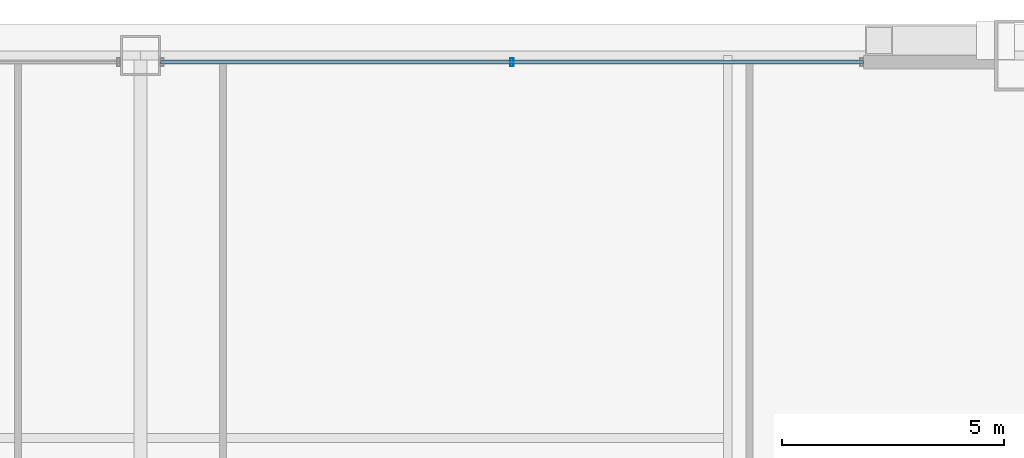
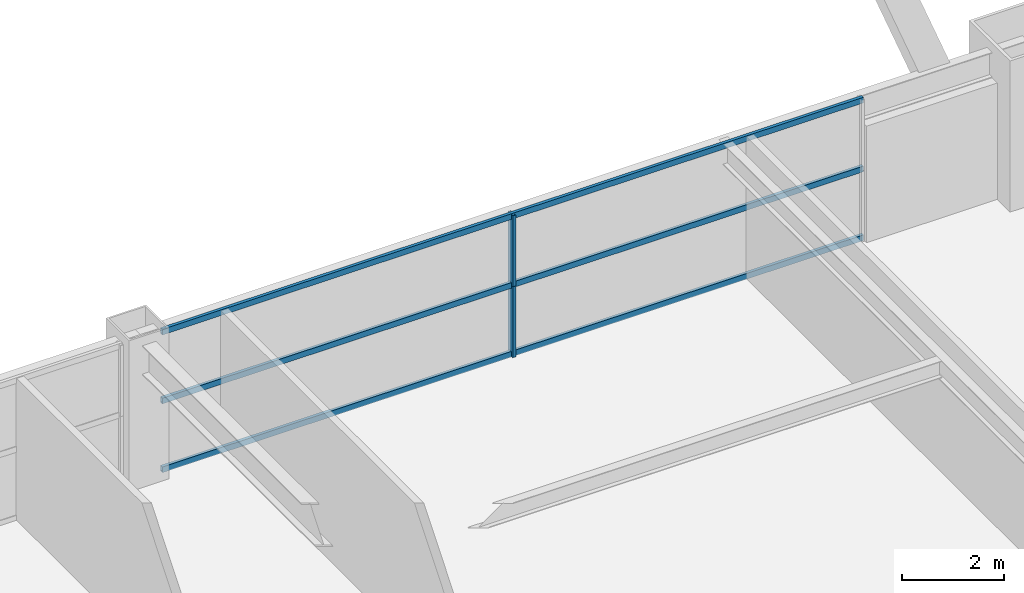
# One storey, part 33 of 41: 5 members, 1 element without a shape of its own.
"""IFC4 building model written with IfcOpenShell, lengths in metres."""

from ifc_helpers import new_model, si_unit, direction, frame, origin, origin_2d, place, context, subcontext, project, spatial, hollow_rectangle, extrude, source, transform, mapped, material, layer, layer_set, material_profile, profile_set, type_object, element, aggregate, save


model = new_model("IFC4")

# Units and contexts
model_context = context("Model", 3, precision=1e-05, world=origin(), true_north=direction((0.0, 1.0)))
body_context = subcontext(model_context, "Body", "Model", "MODEL_VIEW")
ifc_project = project(units=[si_unit("LENGTHUNIT", "METRE"), si_unit("AREAUNIT", "SQUARE_METRE"), si_unit("VOLUMEUNIT", "CUBIC_METRE"), si_unit("PLANEANGLEUNIT", "RADIAN"), si_unit("MASSUNIT", "GRAM", prefix="KILO"), si_unit("THERMODYNAMICTEMPERATUREUNIT", "KELVIN"), si_unit("POWERUNIT", "WATT")], contexts=[model_context])

# Site, building, storey
site_placement = place(None, origin())
site = spatial("IfcSite", under=ifc_project, at=site_placement, CompositionType="ELEMENT")
building_placement = place(site_placement, origin())
building = spatial("IfcBuilding", under=site, at=building_placement, Name="Yuzanri Waterfront Tower", CompositionType="ELEMENT")
storey_placement = place(building_placement, frame((0.0, 0.0, 122.60009765625)))
storey = spatial("IfcBuildingStorey", under=building, at=storey_placement, Name="L32", CompositionType="ELEMENT", Elevation=122.60009765625)

# Curtain wall, members
ifc_material_1 = material(Name="Anodized Architectural Bronze", Category="metal")
ifc_layer = layer(ifc_material_1, 0.159912109375)
ifc_layer_set = layer_set([ifc_layer], Name="Anodized Architectural Bronze")
curtain_wall_type = type_object("IfcCurtainWallType", Name="Anodized Bronze Hotel Upper-Tier Solar-Control Unitized Curtain Wall 7800", PredefinedType="NOTDEFINED", material=ifc_layer_set)
curtain_wall_placement = place(storey_placement, origin())
curtain_wall = element("IfcCurtainWall", 1, at=curtain_wall_placement, inside=storey, type_object=curtain_wall_type, Name="L32 Curtain Wall CW-L32-NR", PredefinedType="NOTDEFINED")
ifc_material_2 = material(Name="Anodized Architectural Bronze", Category="metal")
ifc_material_profile_1 = material_profile(ifc_material_2, hollow_rectangle(XDim=0.070068359375, YDim=0.179931640625, WallThickness=0.00390625, at=origin_2d()), Name="CWM 70x180")
ifc_profile_set_1 = profile_set([ifc_material_profile_1], Name="Anodized Architectural Bronze")
member_type_1 = type_object("IfcMemberType", Name="Anodized Bronze Standard Curtain-Wall Mullion 70x180", PredefinedType="MULLION", material=ifc_profile_set_1)
shared_shape_1 = source(origin(), body_context, "Body", "SweptSolid", [
    extrude(hollow_rectangle(XDim=0.070068359375, YDim=0.179931640625, WallThickness=0.00390625, at=origin_2d()), origin(), (0.0, 0.0, 1.0), 1.68798828125),
])
member_1_placement = place(storey_placement, frame((45.35009765625, 49.25, 0.0), z_axis=(0.0, 0.0, 1.0), x_axis=(1.0, 0.0, 0.0)))
member_1 = element("IfcMember", 2, at=member_1_placement, type_object=member_type_1, Name="CW-L32-NR Lower Mullion 01", PredefinedType="MULLION", context=body_context, shape_type="MappedRepresentation", body=[
    mapped(shared_shape_1, transform((0.0, 0.0, 0.0), scale=1.0)),
])
member_2_placement = place(storey_placement, frame((45.35009765625, 49.25, 1.69189453125), z_axis=(0.0, 0.0, 1.0), x_axis=(1.0, 0.0, 0.0)))
member_2 = element("IfcMember", 3, at=member_2_placement, type_object=member_type_1, Name="CW-L32-NR Upper Mullion 01", PredefinedType="MULLION", context=body_context, shape_type="MappedRepresentation", body=[
    mapped(shared_shape_1, transform((0.0, 0.0, 0.0), scale=1.0)),
])
ifc_material_3 = material(Name="Anodized Architectural Bronze", Category="metal")
ifc_material_profile_2 = material_profile(ifc_material_3, hollow_rectangle(XDim=0.070068359375, YDim=0.135009765625, WallThickness=0.00341796875, at=origin_2d()), Name="CWT 70x135")
ifc_profile_set_2 = profile_set([ifc_material_profile_2], Name="Anodized Architectural Bronze")
member_type_2 = type_object("IfcMemberType", Name="Anodized Bronze Standard Curtain-Wall Transom 70x135", PredefinedType="USERDEFINED", material=ifc_profile_set_2)
shared_shape_2 = source(origin(), body_context, "Body", "SweptSolid", [
    extrude(hollow_rectangle(XDim=0.070068359375, YDim=0.135009765625, WallThickness=0.00341796875, at=origin_2d()), origin(), (0.0, 0.0, 1.0), 15.800048828125),
])
member_3_placement = place(storey_placement, frame((37.449951171875, 49.25, 0.0498046875), z_axis=(1.0, 0.0, 0.0), x_axis=(0.0, 1.0, 0.0)))
member_3 = element("IfcMember", 4, at=member_3_placement, type_object=member_type_2, Name="CW-L32-NR Transom 1", ObjectType="TRANSOM", PredefinedType="USERDEFINED", context=body_context, shape_type="MappedRepresentation", body=[
    mapped(shared_shape_2, transform((0.0, 0.0, 0.0), scale=1.0)),
])
member_4_placement = place(storey_placement, frame((37.449951171875, 49.25, 1.68994140625), z_axis=(1.0, 0.0, 0.0), x_axis=(0.0, 1.0, 0.0)))
member_4 = element("IfcMember", 5, at=member_4_placement, type_object=member_type_2, Name="CW-L32-NR Transom 2", ObjectType="TRANSOM", PredefinedType="USERDEFINED", context=body_context, shape_type="MappedRepresentation", body=[
    mapped(shared_shape_2, transform((0.0, 0.0, 0.0), scale=1.0)),
])
member_5_placement = place(storey_placement, frame((37.449951171875, 49.25, 3.329833984375), z_axis=(1.0, 0.0, 0.0), x_axis=(0.0, 1.0, 0.0)))
member_5 = element("IfcMember", 6, at=member_5_placement, type_object=member_type_2, Name="CW-L32-NR Transom 3", ObjectType="TRANSOM", PredefinedType="USERDEFINED", context=body_context, shape_type="MappedRepresentation", body=[
    mapped(shared_shape_2, transform((0.0, 0.0, 0.0), scale=1.0)),
])
aggregate(curtain_wall, [member_1, member_2, member_3, member_4, member_5])

save(model, "model.ifc")
